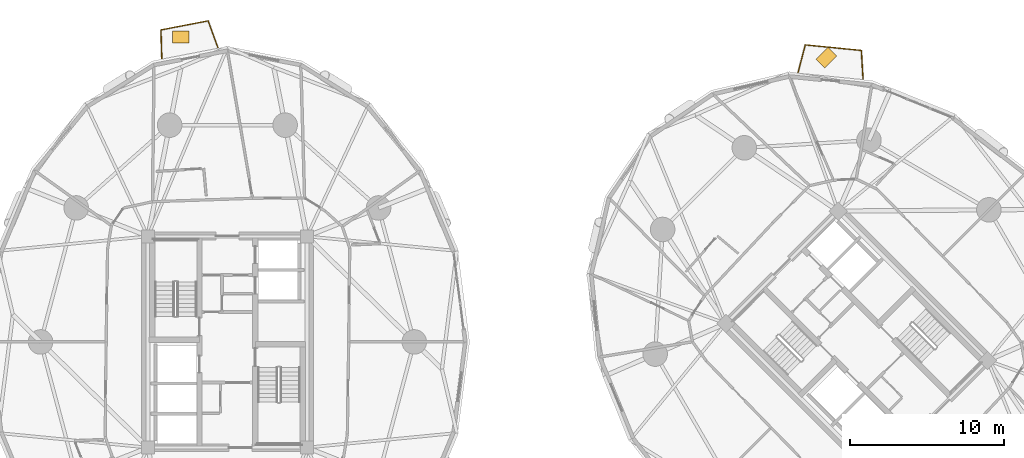
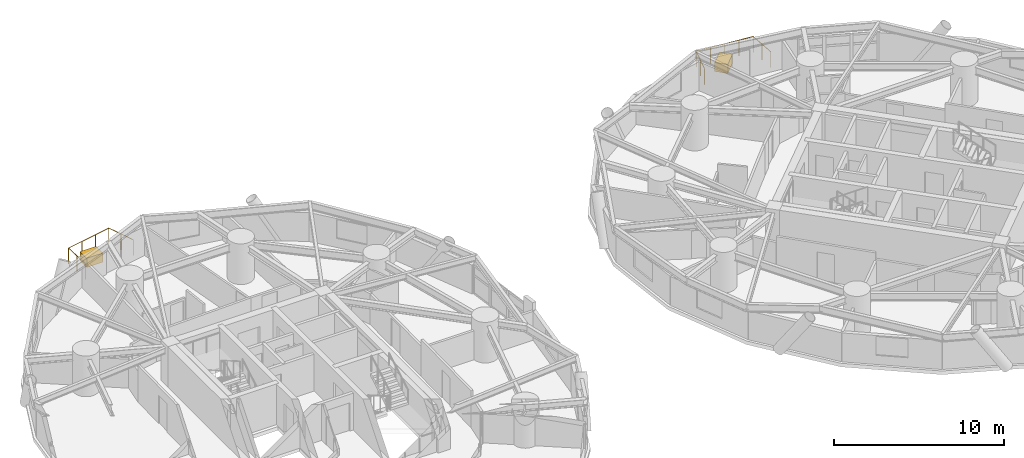
# One storey, part 19 of 19: 2 coverings, 2 railings.
"""IFC4 building model written with IfcOpenShell, lengths in metres."""

from ifc_helpers import new_model, si_unit, direction, frame, origin, origin_2d, place, context, subcontext, project, spatial, rectangle, circle, extrude, source, transform, mapped, material, layer, layer_set, type_object, element, save


model = new_model("IFC4")

# Units and contexts
model_context = context("Model", 3, precision=1e-05, world=origin(), true_north=direction((0.0, 1.0)))
body_context = subcontext(model_context, "Body", "Model", "MODEL_VIEW")
ifc_project = project(units=[si_unit("LENGTHUNIT", "METRE"), si_unit("AREAUNIT", "SQUARE_METRE"), si_unit("VOLUMEUNIT", "CUBIC_METRE"), si_unit("PLANEANGLEUNIT", "RADIAN"), si_unit("MASSUNIT", "GRAM", prefix="KILO")], contexts=[model_context])

# Site, building, storey
site_placement = place(None, origin())
site = spatial("IfcSite", under=ifc_project, at=site_placement, CompositionType="ELEMENT")
building_placement = place(site_placement, origin())
building = spatial("IfcBuilding", under=site, at=building_placement, Name="Cununo Teusaquillo Station Towers", CompositionType="ELEMENT")
storey_placement = place(building_placement, frame((0.0, 0.0, 33.639892578125)))
storey = spatial("IfcBuildingStorey", under=building, at=storey_placement, Name="L09", CompositionType="ELEMENT", Elevation=33.639892578125)

# Railings
ifc_material_1 = material(Name="Anodised dark bronze aluminium EN AW-6063-T6", Category="aluminium")
railing_type = type_object("IfcRailingType", Name="RL-EXT-GUARD", PredefinedType="GUARDRAIL", material=ifc_material_1)
railing_1_placement = place(storey_placement, frame((12.226806640625, 42.965576171875, 0.0)))
element("IfcRailing", 1, at=railing_1_placement, inside=storey, type_object=railing_type, Name="L09 Tower A Balcony Guardrail C05", PredefinedType="GUARDRAIL", context=body_context, shape_type="SweptSolid", body=[
    extrude(circle(Radius=0.02392578125, at=origin_2d()), frame((0.0, 0.0, 1.1259765625), z_axis=(-0.030666047799, 0.999529686159, 0.0), x_axis=(-0.999529686159, -0.030666047799, 0.0)), (0.0, 0.0, 1.0), 1.863037109375),
    extrude(circle(Radius=0.02392578125, at=origin_2d()), frame((-0.05712890625, 1.862060546875, 1.1259765625), z_axis=(0.981838510886, 0.189718577217, 0.0), x_axis=(-0.189718577217, 0.981838510886, 0.0)), (0.0, 0.0, 1.0), 3.12841796875),
    extrude(circle(Radius=0.02392578125, at=origin_2d()), frame((3.014404296875, 2.45556640625, 1.1259765625), z_axis=(0.343888798081, -0.93901038043, 0.0), x_axis=(0.93901038043, 0.343888798081, 0.0)), (0.0, 0.0, 1.0), 1.86279296875),
    extrude(circle(Radius=0.02099609375, at=origin_2d()), origin(), (0.0, 0.0, 1.0), 1.101806640625),
    extrude(circle(Radius=0.02099609375, at=origin_2d()), frame((-0.028564453125, 0.93115234375, 0.0)), (0.0, 0.0, 1.0), 1.101806640625),
    extrude(circle(Radius=0.02099609375, at=origin_2d()), frame((-0.05712890625, 1.862060546875, 0.0)), (0.0, 0.0, 1.0), 1.101806640625),
    extrude(circle(Radius=0.02099609375, at=origin_2d()), frame((0.966796875, 2.059814453125, 0.0)), (0.0, 0.0, 1.0), 1.101806640625),
    extrude(circle(Radius=0.02099609375, at=origin_2d()), frame((1.990478515625, 2.2578125, 0.0)), (0.0, 0.0, 1.0), 1.101806640625),
    extrude(circle(Radius=0.02099609375, at=origin_2d()), frame((3.014404296875, 2.45556640625, 0.0)), (0.0, 0.0, 1.0), 1.101806640625),
    extrude(circle(Radius=0.02099609375, at=origin_2d()), frame((3.334716796875, 1.5810546875, 0.0)), (0.0, 0.0, 1.0), 1.101806640625),
    extrude(circle(Radius=0.02099609375, at=origin_2d()), frame((3.655029296875, 0.706298828125, 0.0)), (0.0, 0.0, 1.0), 1.101806640625),
])
railing_2_placement = place(storey_placement, frame((53.669921875, 42.045654296875, 0.0)))
element("IfcRailing", 2, at=railing_2_placement, inside=storey, type_object=railing_type, Name="L09 Tower B Balcony Guardrail C02", PredefinedType="GUARDRAIL", context=body_context, shape_type="SweptSolid", body=[
    extrude(circle(Radius=0.02392578125, at=origin_2d()), frame((0.0, 0.0, 1.1259765625), z_axis=(0.255867456127, 0.966711872739, 0.0), x_axis=(-0.966711872739, 0.255867456127, 0.0)), (0.0, 0.0, 1.0), 1.87109375),
    extrude(circle(Radius=0.02392578125, at=origin_2d()), frame((0.478759765625, 1.808837890625, 1.1259765625), z_axis=(0.995124555994, -0.098626153008, 0.0), x_axis=(0.098626153008, 0.995124555994, 0.0)), (0.0, 0.0, 1.0), 3.66357421875),
    extrude(circle(Radius=0.02392578125, at=origin_2d()), frame((4.12451171875, 1.447509765625, 1.1259765625), z_axis=(0.06119229958, -0.998125995289, 0.0), x_axis=(0.998125995289, 0.06119229958, 0.0)), (0.0, 0.0, 1.0), 1.87109375),
    extrude(circle(Radius=0.02099609375, at=origin_2d()), origin(), (0.0, 0.0, 1.0), 1.101806640625),
    extrude(circle(Radius=0.02099609375, at=origin_2d()), frame((0.2392578125, 0.904296875, 0.0)), (0.0, 0.0, 1.0), 1.101806640625),
    extrude(circle(Radius=0.02099609375, at=origin_2d()), frame((0.478759765625, 1.808837890625, 0.0)), (0.0, 0.0, 1.0), 1.101806640625),
    extrude(circle(Radius=0.02099609375, at=origin_2d()), frame((1.39013671875, 1.718505859375, 0.0)), (0.0, 0.0, 1.0), 1.101806640625),
    extrude(circle(Radius=0.02099609375, at=origin_2d()), frame((2.3017578125, 1.628173828125, 0.0)), (0.0, 0.0, 1.0), 1.101806640625),
    extrude(circle(Radius=0.02099609375, at=origin_2d()), frame((3.213134765625, 1.537841796875, 0.0)), (0.0, 0.0, 1.0), 1.101806640625),
    extrude(circle(Radius=0.02099609375, at=origin_2d()), frame((4.12451171875, 1.447509765625, 0.0)), (0.0, 0.0, 1.0), 1.101806640625),
    extrude(circle(Radius=0.02099609375, at=origin_2d()), frame((4.181640625, 0.513671875, 0.0)), (0.0, 0.0, 1.0), 1.101806640625),
    extrude(circle(Radius=0.02099609375, at=origin_2d()), frame((4.239013671875, -0.420166015625, 0.0)), (0.0, 0.0, 1.0), 1.101806640625),
])

# Coverings
ifc_material_2 = material(Name="Architectural GRC planter shell and engineered root-zone substrate", Category="concrete")
ifc_layer = layer(ifc_material_2, 0.64990234375)
ifc_layer_set = layer_set([ifc_layer], Name="Architectural GRC planter shell and engineered root-zone substrate")
covering_type = type_object("IfcCoveringType", Name="COV-TREE-PLANTER", PredefinedType="CLADDING", material=ifc_layer_set)
shared_shape = source(origin(), body_context, "Body", "SweptSolid", [
    extrude(rectangle(XDim=1.10009765625, YDim=0.800048828125, at=origin_2d()), origin(), (0.0, 0.0, 1.0), 0.64990234375),
])
for number, where, z_axis, x_axis, name in (
    (3, (13.458984375, 44.370849609375, 0.000244140625), (0.0, 0.0, 1.0), (1.0, 0.0, 0.0), "L09 Tower A Balcony Tree PLANTER C05"),
    (4, (55.519775390625, 43.017578125, 0.000244140625), (0.0, 0.0, 1.0), (0.707106781187, 0.707106781187, 0.0), "L09 Tower B Balcony Tree PLANTER C02"),
):
    element("IfcCovering", number, at=place(storey_placement, frame(where, z_axis=z_axis, x_axis=x_axis)), inside=storey, type_object=covering_type, Name=name, PredefinedType="CLADDING", context=body_context, shape_type="MappedRepresentation", body=[
        mapped(shared_shape, transform((0.0, 0.0, 0.0), x_axis=(1.0, 0.0, 0.0), y_axis=(0.0, 1.0, 0.0), z_axis=(0.0, 0.0, 1.0), scale=1.0)),
    ])

save(model, "model.ifc")
